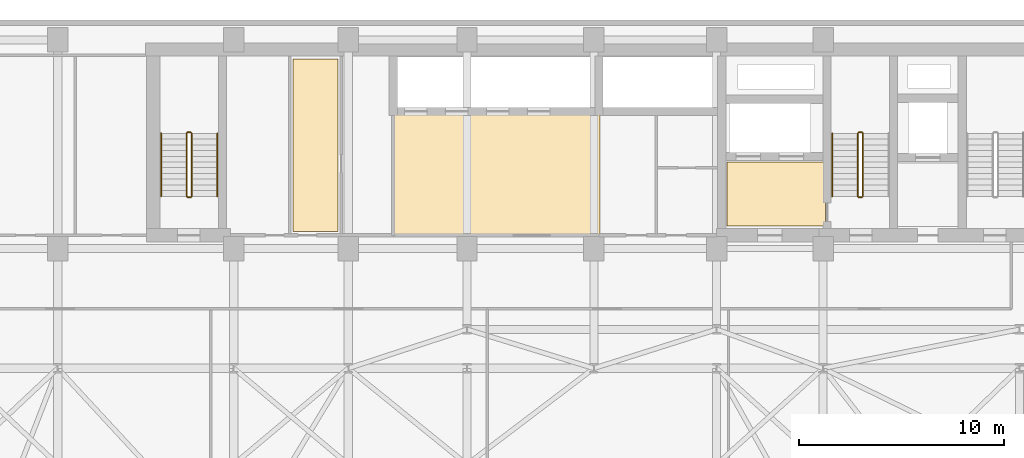
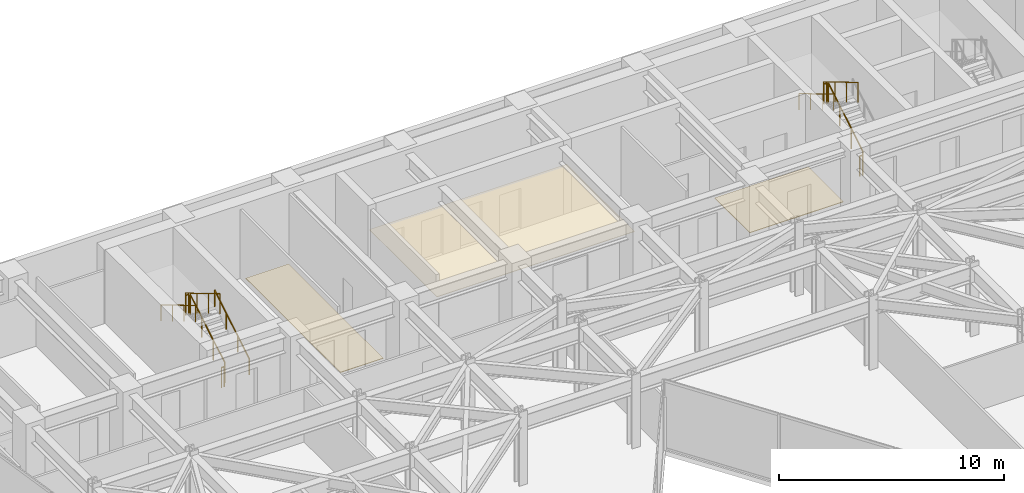
# One storey, part 25 of 26: 11 railings, 3 coverings.
"""IFC4 building model written with IfcOpenShell, lengths in metres."""

from ifc_helpers import new_model, si_unit, direction, frame, origin, origin_2d, place, context, subcontext, project, spatial, polyline, circle, outline, extrude, material, layer, layer_set, type_object, element, save


model = new_model("IFC4")

# Units and contexts
model_context = context("Model", 3, precision=1e-05, world=origin(), true_north=direction((0.0, 1.0)))
body_context = subcontext(model_context, "Body", "Model", "MODEL_VIEW")
ifc_project = project(units=[si_unit("LENGTHUNIT", "METRE"), si_unit("AREAUNIT", "SQUARE_METRE"), si_unit("VOLUMEUNIT", "CUBIC_METRE"), si_unit("PLANEANGLEUNIT", "RADIAN"), si_unit("MASSUNIT", "GRAM", prefix="KILO")], contexts=[model_context])

# Site, building, storey
site_placement = place(None, origin())
site = spatial("IfcSite", under=ifc_project, at=site_placement, CompositionType="ELEMENT")
building_placement = place(site_placement, origin())
building = spatial("IfcBuilding", under=site, at=building_placement, Name="Kravanh Interchange Tower", CompositionType="ELEMENT")
storey_placement = place(building_placement, frame((0.0, 0.0, 120.0)))
storey = spatial("IfcBuildingStorey", under=building, at=storey_placement, Name="L28", CompositionType="ELEMENT", Elevation=120.0)

# Coverings
ifc_material_1 = material(Name="Cementitious Terrazzo Tile")
ifc_layer_1 = layer(ifc_material_1, 0.030029296875)
ifc_layer_set_1 = layer_set([ifc_layer_1], Name="Honed Terrazzo Lobby Flooring 30mm")
covering_type_1 = type_object("IfcCoveringType", Name="Honed Terrazzo Lobby Flooring 30mm", PredefinedType="FLOORING", material=ifc_layer_set_1)
covering_1_placement = place(storey_placement, origin())
element("IfcCovering", 1, at=covering_1_placement, inside=storey, type_object=covering_type_1, Name="L28 Firefighting Lobby Floor Finish", PredefinedType="FLOORING", context=body_context, shape_type="SweptSolid", body=[
    extrude(outline(polyline([(56.1201171875, 38.4599609375), (51.300048828125, 38.4599609375), (51.300048828125, 41.580078125), (56.1201171875, 41.580078125), (56.1201171875, 38.4599609375)])), origin(), (0.0, 0.0, 1.0), 0.030029296875),
])
covering_2_placement = place(storey_placement, origin())
element("IfcCovering", 2, at=covering_2_placement, inside=storey, type_object=covering_type_1, Name="L28 First Aid and Lactation Room Floor Finish", PredefinedType="FLOORING", context=body_context, shape_type="SweptSolid", body=[
    extrude(outline(polyline([(30.10009765625, 46.6201171875), (32.300048828125, 46.6201171875), (32.300048828125, 38.179931640625), (30.10009765625, 38.179931640625), (30.10009765625, 46.6201171875)])), origin(), (0.0, 0.0, 1.0), 0.030029296875),
])
ifc_material_2 = material(Name="Acoustic Mineral Fibre Tile on Aluminium Grid", Category="aluminium")
ifc_layer_2 = layer(ifc_material_2, 0.02490234375)
ifc_layer_set_2 = layer_set([ifc_layer_2], Name="Perforated Acoustic Mineral Ceiling 25mm")
covering_type_2 = type_object("IfcCoveringType", Name="Perforated Acoustic Mineral Ceiling 25mm", PredefinedType="CEILING", material=ifc_layer_set_2)
covering_3_placement = place(storey_placement, frame((0.0, 0.0, 2.550048828125)))
element("IfcCovering", 3, at=covering_3_placement, inside=storey, type_object=covering_type_2, Name="L28 Mid-Rise Lift Lobby Suspended Ceiling", PredefinedType="CEILING", context=body_context, shape_type="SweptSolid", body=[
    extrude(outline(polyline([(45.090087890625, 37.9599609375), (34.93994140625, 37.9599609375), (34.93994140625, 43.989990234375), (45.090087890625, 43.989990234375), (45.090087890625, 37.9599609375)])), origin(), (0.0, 0.0, 1.0), 0.02490234375),
])

# Railings
ifc_material_3 = material(Name="Structural Steel S355", Category="steel")
ifc_layer_3 = layer(ifc_material_3, 0.050048828125)
ifc_layer_set_3 = layer_set([ifc_layer_3], Name="Stair Well Guardrail Structural Steel S355 1100mm")
railing_type_1 = type_object("IfcRailingType", Name="Stair Well Guardrail Structural Steel S355 1100mm", PredefinedType="GUARDRAIL", material=ifc_layer_set_3)
railing_1_placement = place(storey_placement, frame((57.949951171875, 39.89990234375, 0.166748046875)))
element("IfcRailing", 4, at=railing_1_placement, inside=storey, type_object=railing_type_1, Name="L28 ST2 stair guard 1", PredefinedType="GUARDRAIL", context=body_context, shape_type="SweptSolid", body=[
    extrude(circle(Radius=0.02392578125, at=origin_2d()), frame((0.0, 0.0, 1.076171875), z_axis=(0.0, 0.859308565015, 0.511457515432), x_axis=(-1.0, 0.0, 0.0)), (0.0, 0.0, 1.0), 3.58447265625),
    extrude(circle(Radius=0.02099609375, at=origin_2d()), origin(), (0.0, 0.0, 1.0), 1.052001953125),
    extrude(circle(Radius=0.02099609375, at=origin_2d()), frame((0.0, 1.026611328125, 0.611083984375)), (0.0, 0.0, 1.0), 1.052001953125),
    extrude(circle(Radius=0.02099609375, at=origin_2d()), frame((0.0, 2.053466796875, 1.22216796875)), (0.0, 0.0, 1.0), 1.052001953125),
    extrude(circle(Radius=0.02099609375, at=origin_2d()), frame((0.0, 3.080078125, 1.833251953125)), (0.0, 0.0, 1.0), 1.052001953125),
])
railing_2_placement = place(storey_placement, frame((57.89990234375, 43.030029296875, 2.0)))
element("IfcRailing", 5, at=railing_2_placement, inside=storey, type_object=railing_type_1, Name="L28 ST2 stair guard 2", PredefinedType="GUARDRAIL", context=body_context, shape_type="SweptSolid", body=[
    extrude(circle(Radius=0.02392578125, at=origin_2d()), frame((0.0, 0.0, 1.076171875), z_axis=(-1.0, 0.0, 0.0), x_axis=(0.0, -1.0, 0.0)), (0.0, 0.0, 1.0), 0.14990234375),
    extrude(circle(Radius=0.02099609375, at=origin_2d()), origin(), (0.0, 0.0, 1.0), 1.052001953125),
    extrude(circle(Radius=0.02099609375, at=origin_2d()), frame((-0.14990234375, 0.0, 0.0)), (0.0, 0.0, 1.0), 1.052001953125),
])
railing_3_placement = place(storey_placement, frame((57.699951171875, 42.97998046875, 2.166748046875)))
element("IfcRailing", 6, at=railing_3_placement, inside=storey, type_object=railing_type_1, Name="L28 ST2 stair guard 3", PredefinedType="GUARDRAIL", context=body_context, shape_type="SweptSolid", body=[
    extrude(circle(Radius=0.02392578125, at=origin_2d()), frame((0.0, 0.0, 1.076171875), z_axis=(0.0, -0.859308565015, 0.511457515432), x_axis=(1.0, 0.0, 0.0)), (0.0, 0.0, 1.0), 3.58447265625),
    extrude(circle(Radius=0.02099609375, at=origin_2d()), origin(), (0.0, 0.0, 1.0), 1.052001953125),
    extrude(circle(Radius=0.02099609375, at=origin_2d()), frame((0.0, -1.026611328125, 0.611083984375)), (0.0, 0.0, 1.0), 1.052001953125),
    extrude(circle(Radius=0.02099609375, at=origin_2d()), frame((0.0, -2.053466796875, 1.22216796875)), (0.0, 0.0, 1.0), 1.052001953125),
    extrude(circle(Radius=0.02099609375, at=origin_2d()), frame((0.0, -3.080078125, 1.833251953125)), (0.0, 0.0, 1.0), 1.052001953125),
])
railing_4_placement = place(storey_placement, frame((57.89990234375, 39.85009765625, 0.0)))
element("IfcRailing", 7, at=railing_4_placement, inside=storey, type_object=railing_type_1, Name="L28 ST2 stair guard 4", PredefinedType="GUARDRAIL", context=body_context, shape_type="SweptSolid", body=[
    extrude(circle(Radius=0.02392578125, at=origin_2d()), frame((0.0, 0.0, 1.076171875), z_axis=(-1.0, 0.0, 0.0), x_axis=(0.0, -1.0, 0.0)), (0.0, 0.0, 1.0), 0.14990234375),
    extrude(circle(Radius=0.02099609375, at=origin_2d()), origin(), (0.0, 0.0, 1.0), 1.052001953125),
    extrude(circle(Radius=0.02099609375, at=origin_2d()), frame((-0.14990234375, 0.0, 0.0)), (0.0, 0.0, 1.0), 1.052001953125),
])
railing_5_placement = place(storey_placement, frame((25.14990234375, 39.89990234375, 0.166748046875)))
element("IfcRailing", 8, at=railing_5_placement, inside=storey, type_object=railing_type_1, Name="L28 ST3 stair guard 1", PredefinedType="GUARDRAIL", context=body_context, shape_type="SweptSolid", body=[
    extrude(circle(Radius=0.02392578125, at=origin_2d()), frame((0.0, 0.0, 1.076171875), z_axis=(0.0, 0.859308565015, 0.511457515432), x_axis=(-1.0, 0.0, 0.0)), (0.0, 0.0, 1.0), 3.58447265625),
    extrude(circle(Radius=0.02099609375, at=origin_2d()), origin(), (0.0, 0.0, 1.0), 1.052001953125),
    extrude(circle(Radius=0.02099609375, at=origin_2d()), frame((0.0, 1.026611328125, 0.611083984375)), (0.0, 0.0, 1.0), 1.052001953125),
    extrude(circle(Radius=0.02099609375, at=origin_2d()), frame((0.0, 2.053466796875, 1.22216796875)), (0.0, 0.0, 1.0), 1.052001953125),
    extrude(circle(Radius=0.02099609375, at=origin_2d()), frame((0.0, 3.080078125, 1.833251953125)), (0.0, 0.0, 1.0), 1.052001953125),
])
railing_6_placement = place(storey_placement, frame((25.10009765625, 43.030029296875, 2.0)))
element("IfcRailing", 9, at=railing_6_placement, inside=storey, type_object=railing_type_1, Name="L28 ST3 stair guard 2", PredefinedType="GUARDRAIL", context=body_context, shape_type="SweptSolid", body=[
    extrude(circle(Radius=0.02392578125, at=origin_2d()), frame((0.0, 0.0, 1.076171875), z_axis=(-1.0, 0.0, 0.0), x_axis=(0.0, -1.0, 0.0)), (0.0, 0.0, 1.0), 0.150146484375),
    extrude(circle(Radius=0.02099609375, at=origin_2d()), origin(), (0.0, 0.0, 1.0), 1.052001953125),
    extrude(circle(Radius=0.02099609375, at=origin_2d()), frame((-0.150146484375, 0.0, 0.0)), (0.0, 0.0, 1.0), 1.052001953125),
])
railing_7_placement = place(storey_placement, frame((24.89990234375, 42.97998046875, 2.166748046875)))
element("IfcRailing", 10, at=railing_7_placement, inside=storey, type_object=railing_type_1, Name="L28 ST3 stair guard 3", PredefinedType="GUARDRAIL", context=body_context, shape_type="SweptSolid", body=[
    extrude(circle(Radius=0.02392578125, at=origin_2d()), frame((0.0, 0.0, 1.076171875), z_axis=(0.0, -0.859308565015, 0.511457515432), x_axis=(1.0, 0.0, 0.0)), (0.0, 0.0, 1.0), 3.58447265625),
    extrude(circle(Radius=0.02099609375, at=origin_2d()), origin(), (0.0, 0.0, 1.0), 1.052001953125),
    extrude(circle(Radius=0.02099609375, at=origin_2d()), frame((0.0, -1.026611328125, 0.611083984375)), (0.0, 0.0, 1.0), 1.052001953125),
    extrude(circle(Radius=0.02099609375, at=origin_2d()), frame((0.0, -2.053466796875, 1.22216796875)), (0.0, 0.0, 1.0), 1.052001953125),
    extrude(circle(Radius=0.02099609375, at=origin_2d()), frame((0.0, -3.080078125, 1.833251953125)), (0.0, 0.0, 1.0), 1.052001953125),
])
railing_8_placement = place(storey_placement, frame((25.10009765625, 39.85009765625, 0.0)))
element("IfcRailing", 11, at=railing_8_placement, inside=storey, type_object=railing_type_1, Name="L28 ST3 stair guard 4", PredefinedType="GUARDRAIL", context=body_context, shape_type="SweptSolid", body=[
    extrude(circle(Radius=0.02392578125, at=origin_2d()), frame((0.0, 0.0, 1.076171875), z_axis=(-1.0, 0.0, 0.0), x_axis=(0.0, -1.0, 0.0)), (0.0, 0.0, 1.0), 0.150146484375),
    extrude(circle(Radius=0.02099609375, at=origin_2d()), origin(), (0.0, 0.0, 1.0), 1.052001953125),
    extrude(circle(Radius=0.02099609375, at=origin_2d()), frame((-0.150146484375, 0.0, 0.0)), (0.0, 0.0, 1.0), 1.052001953125),
])
ifc_material_4 = material(Name="Stainless Steel 304", Category="steel")
ifc_layer_4 = layer(ifc_material_4, 0.044921875)
ifc_layer_set_4 = layer_set([ifc_layer_4], Name="Tubular Stair Handrail Stainless 304 900mm")
railing_type_2 = type_object("IfcRailingType", Name="Tubular Stair Handrail Stainless 304 900mm", PredefinedType="HANDRAIL", material=ifc_layer_set_4)
railing_9_placement = place(storey_placement, frame((56.449951171875, 42.97998046875, 2.166748046875)))
element("IfcRailing", 12, at=railing_9_placement, inside=storey, type_object=railing_type_2, Name="L28 ST2 stair handrail 2", PredefinedType="HANDRAIL", context=body_context, shape_type="SweptSolid", body=[
    extrude(circle(Radius=0.02392578125, at=origin_2d()), frame((0.0, 0.0, 0.8759765625), z_axis=(0.0, -0.859308565015, 0.511457515432), x_axis=(1.0, 0.0, 0.0)), (0.0, 0.0, 1.0), 3.58447265625),
    extrude(circle(Radius=0.02099609375, at=origin_2d()), origin(), (0.0, 0.0, 1.0), 0.851806640625),
    extrude(circle(Radius=0.02099609375, at=origin_2d()), frame((0.0, -1.026611328125, 0.611083984375)), (0.0, 0.0, 1.0), 0.851806640625),
    extrude(circle(Radius=0.02099609375, at=origin_2d()), frame((0.0, -2.053466796875, 1.22216796875)), (0.0, 0.0, 1.0), 0.851806640625),
    extrude(circle(Radius=0.02099609375, at=origin_2d()), frame((0.0, -3.080078125, 1.833251953125)), (0.0, 0.0, 1.0), 0.851806640625),
])
railing_10_placement = place(storey_placement, frame((26.39990234375, 39.89990234375, 0.166748046875)))
element("IfcRailing", 13, at=railing_10_placement, inside=storey, type_object=railing_type_2, Name="L28 ST3 stair handrail 1", PredefinedType="HANDRAIL", context=body_context, shape_type="SweptSolid", body=[
    extrude(circle(Radius=0.02392578125, at=origin_2d()), frame((0.0, 0.0, 0.8759765625), z_axis=(0.0, 0.859308565015, 0.511457515432), x_axis=(-1.0, 0.0, 0.0)), (0.0, 0.0, 1.0), 3.58447265625),
    extrude(circle(Radius=0.02099609375, at=origin_2d()), origin(), (0.0, 0.0, 1.0), 0.851806640625),
    extrude(circle(Radius=0.02099609375, at=origin_2d()), frame((0.0, 1.026611328125, 0.611083984375)), (0.0, 0.0, 1.0), 0.851806640625),
    extrude(circle(Radius=0.02099609375, at=origin_2d()), frame((0.0, 2.053466796875, 1.22216796875)), (0.0, 0.0, 1.0), 0.851806640625),
    extrude(circle(Radius=0.02099609375, at=origin_2d()), frame((0.0, 3.080078125, 1.833251953125)), (0.0, 0.0, 1.0), 0.851806640625),
])
railing_11_placement = place(storey_placement, frame((23.64990234375, 42.97998046875, 2.166748046875)))
element("IfcRailing", 14, at=railing_11_placement, inside=storey, type_object=railing_type_2, Name="L28 ST3 stair handrail 2", PredefinedType="HANDRAIL", context=body_context, shape_type="SweptSolid", body=[
    extrude(circle(Radius=0.02392578125, at=origin_2d()), frame((0.0, 0.0, 0.8759765625), z_axis=(0.0, -0.859308565015, 0.511457515432), x_axis=(1.0, 0.0, 0.0)), (0.0, 0.0, 1.0), 3.58447265625),
    extrude(circle(Radius=0.02099609375, at=origin_2d()), origin(), (0.0, 0.0, 1.0), 0.851806640625),
    extrude(circle(Radius=0.02099609375, at=origin_2d()), frame((0.0, -1.026611328125, 0.611083984375)), (0.0, 0.0, 1.0), 0.851806640625),
    extrude(circle(Radius=0.02099609375, at=origin_2d()), frame((0.0, -2.053466796875, 1.22216796875)), (0.0, 0.0, 1.0), 0.851806640625),
    extrude(circle(Radius=0.02099609375, at=origin_2d()), frame((0.0, -3.080078125, 1.833251953125)), (0.0, 0.0, 1.0), 0.851806640625),
])

save(model, "model.ifc")
